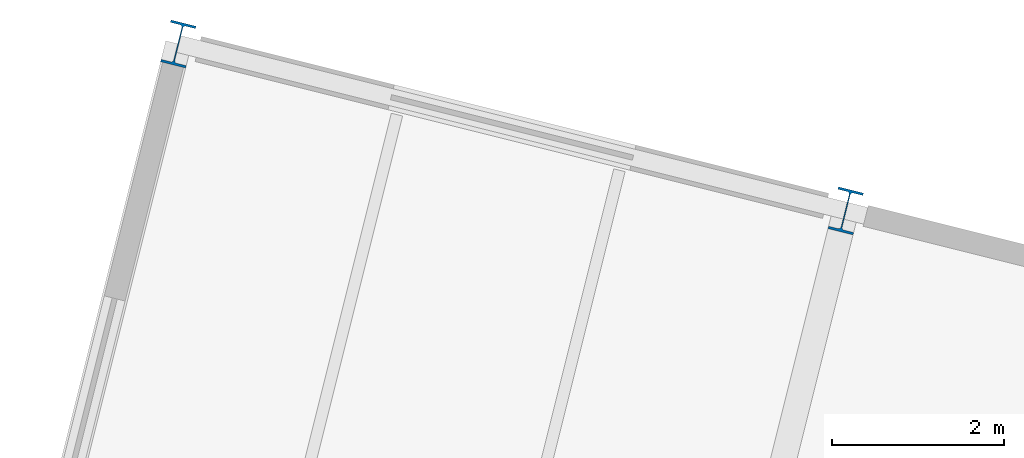
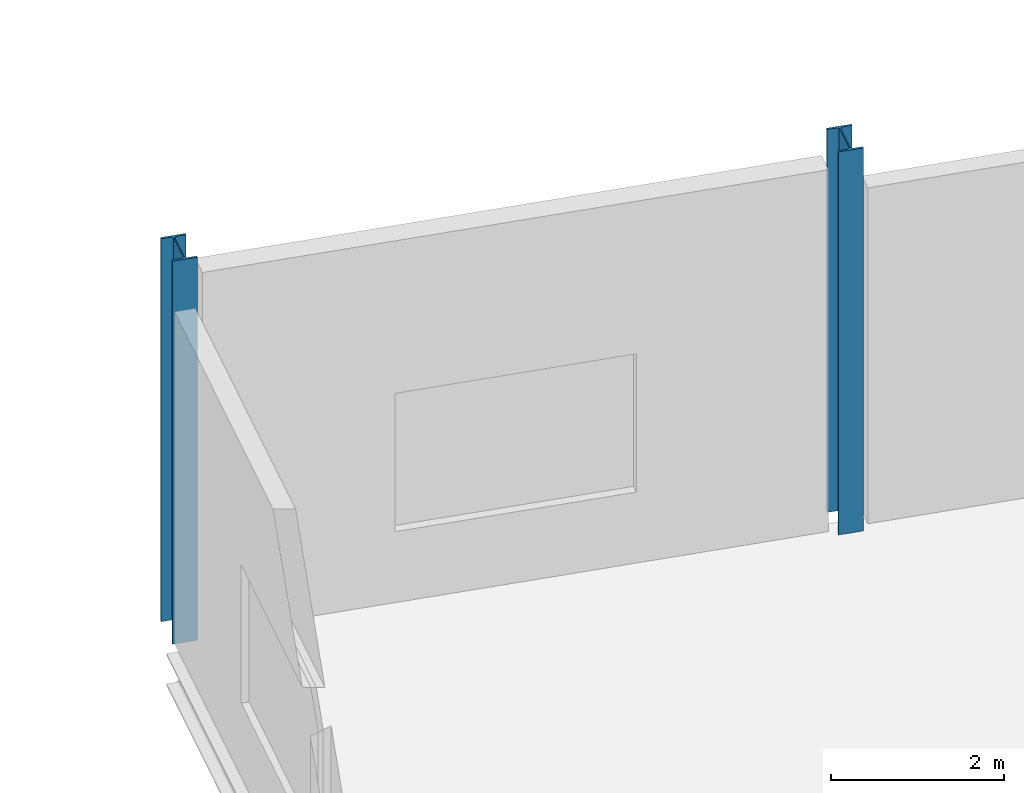
# One storey, part 20 of 158: 2 columns.
"""IFC4 building model written with IfcOpenShell, lengths in metres."""

from ifc_helpers import new_model, si_unit, derived_unit, direction, frame, origin, origin_2d, place, context, subcontext, project, spatial, i_section, extrude, material, material_profile, profile_set, type_object, element, save


model = new_model("IFC4")

# Units and contexts
model_context = context("Model", 3, precision=1e-05, world=origin(), true_north=direction((0.0, 1.0)))
body_context = subcontext(model_context, "Body", "Model", "MODEL_VIEW")
ifc_project = project(units=[si_unit("LENGTHUNIT", "METRE"), si_unit("AREAUNIT", "SQUARE_METRE"), si_unit("VOLUMEUNIT", "CUBIC_METRE"), si_unit("PLANEANGLEUNIT", "RADIAN"), si_unit("MASSUNIT", "GRAM", prefix="KILO"), si_unit("THERMODYNAMICTEMPERATUREUNIT", "KELVIN"), si_unit("TIMEUNIT", "SECOND"), derived_unit("THERMALTRANSMITTANCEUNIT", [(si_unit("MASSUNIT", "GRAM", prefix="KILO"), 1), (si_unit("THERMODYNAMICTEMPERATUREUNIT", "KELVIN"), -1), (si_unit("TIMEUNIT", "SECOND"), -3)])], contexts=[model_context])

# Site, building, storey
site_placement = place(None, origin())
site = spatial("IfcSite", under=ifc_project, at=site_placement, CompositionType="ELEMENT")
building_placement = place(site_placement, origin())
building = spatial("IfcBuilding", under=site, at=building_placement, Name="Cambertide Market Hall", CompositionType="ELEMENT")
storey_placement = place(building_placement, origin())
storey = spatial("IfcBuildingStorey", under=building, at=storey_placement, Name="L01", CompositionType="ELEMENT", Elevation=0.0)

# Columns
ifc_material = material(Name="Steel S355", Category="steel")
ifc_material_profile = material_profile(ifc_material, i_section(OverallWidth=0.300048828125, OverallDepth=0.5, WebThickness=0.014404296875, FlangeThickness=0.028076171875, FilletRadius=0.027099609375, at=origin_2d()), Name="HEB 500")
ifc_profile_set = profile_set([ifc_material_profile], Name="Steel S355")
column_type = type_object("IfcColumnType", Name="Exterior Steel Column HEB 500", PredefinedType="COLUMN", material=ifc_profile_set)
for number, where, z_axis, x_axis, name in (
    (1, (114.548583984375, 126.19384765625, 0.0), (0.0, 0.0, 1.0), (0.970142500145, -0.242535625038, 0.0), "Level 1 Column COL-V4-1-4-L01"),
    (2, (122.3095703125, 124.253662109375, 0.0), (0.0, 0.0, 1.0), (0.970142500145, -0.242535625038, 0.0), "Level 1 Column COL-V4-2-4-L01"),
):
    element("IfcColumn", number, at=place(storey_placement, frame(where, z_axis=z_axis, x_axis=x_axis)), inside=storey, type_object=column_type, Name=name, PredefinedType="COLUMN", context=body_context, shape_type="SweptSolid", body=[
        extrude(i_section(OverallWidth=0.300048828125, OverallDepth=0.5, WebThickness=0.014404296875, FlangeThickness=0.028076171875, FilletRadius=0.027099609375, at=origin_2d()), origin(), (0.0, 0.0, 1.0), 5.39990234375),
    ])

save(model, "model.ifc")
